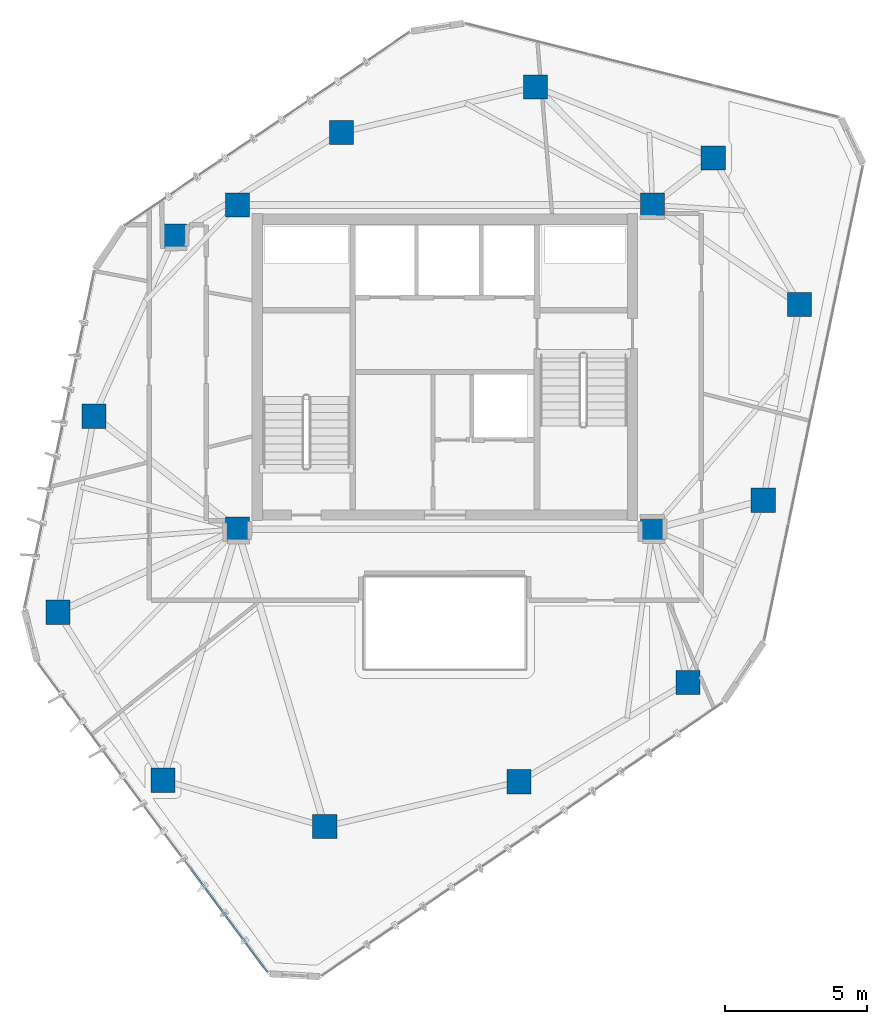
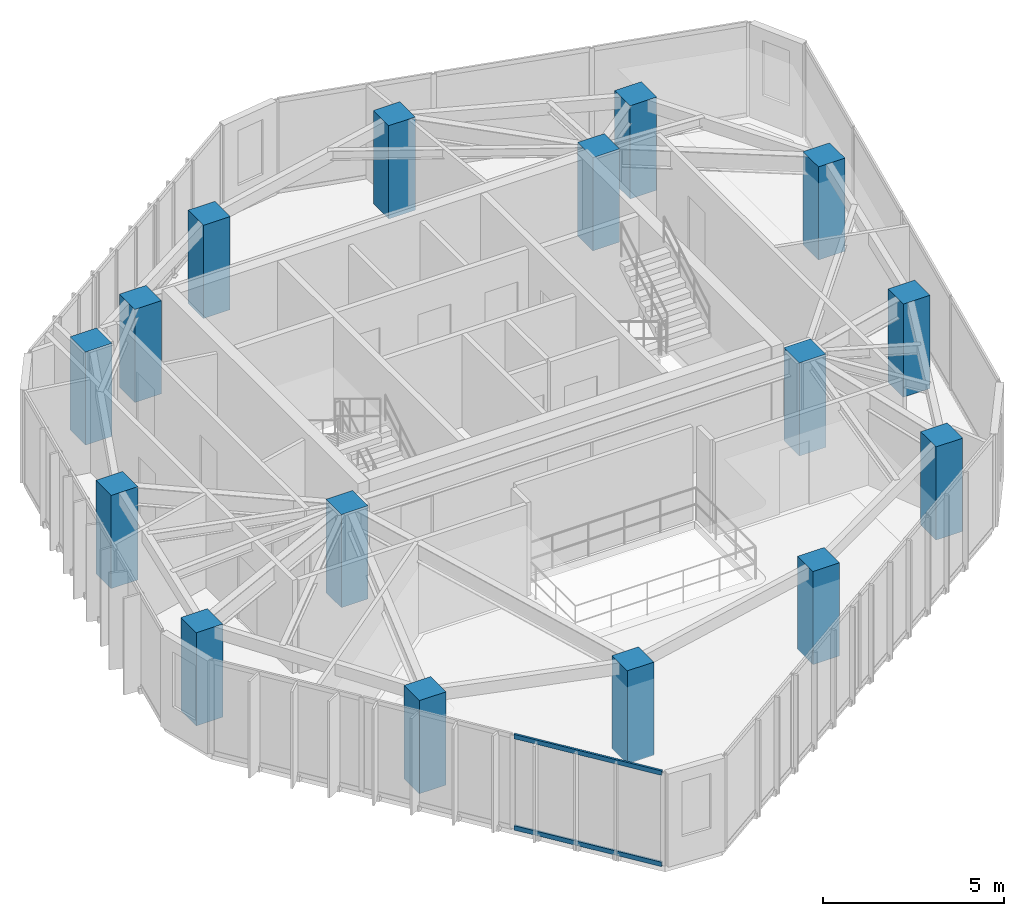
# One storey, part 1 of 20: 16 columns, 2 members, 1 element without a shape of its own.
"""IFC4 building model written with IfcOpenShell, lengths in metres."""

from ifc_helpers import new_model, si_unit, direction, frame, origin, origin_2d, place, context, subcontext, project, spatial, rectangle, hollow_rectangle, extrude, source, transform, mapped, material, layer, layer_set, material_profile, profile_set, type_object, type_shapes, element, aggregate, save


model = new_model("IFC4")

# Units and contexts
model_context = context("Model", 3, precision=1e-05, world=origin(), true_north=direction((0.0, 1.0)))
body_context = subcontext(model_context, "Body", "Model", "MODEL_VIEW")
ifc_project = project(units=[si_unit("LENGTHUNIT", "METRE"), si_unit("AREAUNIT", "SQUARE_METRE"), si_unit("VOLUMEUNIT", "CUBIC_METRE"), si_unit("PLANEANGLEUNIT", "RADIAN"), si_unit("MASSUNIT", "GRAM", prefix="KILO")], contexts=[model_context])

# Site, building, storey
site_placement = place(None, origin())
site = spatial("IfcSite", under=ifc_project, at=site_placement, CompositionType="ELEMENT")
building_placement = place(site_placement, origin())
building = spatial("IfcBuilding", under=site, at=building_placement, Name="Talar Marvaseh", CompositionType="ELEMENT")
storey_placement = place(building_placement, frame((0.0, 0.0, 244.199951171875)))
storey = spatial("IfcBuildingStorey", under=building, at=storey_placement, Name="L64", CompositionType="ELEMENT", Elevation=244.199951171875)

# Columns
ifc_material_1 = material(Name="Concrete C50/60", Category="concrete")
ifc_material_profile_1 = material_profile(ifc_material_1, rectangle(XDim=0.85009765625, YDim=0.85009765625, at=origin_2d()), Name="RC850x850")
ifc_profile_set_1 = profile_set([ifc_material_profile_1], Name="Concrete C50/60")
column_type = type_object("IfcColumnType", Name="Zone 4 Tube Column RC850x850", PredefinedType="COLUMN", material=ifc_profile_set_1)
for number, where, z_axis, x_axis, name in (
    (1, (12.388916015625, 22.576904296875, 0.0), (0.0, 0.0, 1.0), (1.0, 0.0, 0.0), "L64 Zone 4 Tube Column RC850x850"),
    (2, (13.657958984375, 29.469970703125, 0.0), (0.0, 0.0, 1.0), (1.0, 0.0, 0.0), "L64 Zone 4 Tube Column RC850x850"),
    (3, (16.493896484375, 35.806884765625, 0.0), (0.0, 0.0, 1.0), (1.0, 0.0, 0.0), "L64 Zone 4 Tube Column RC850x850"),
    (4, (22.364990234375, 39.4541015625, 0.0), (0.0, 0.0, 1.0), (1.0, 0.0, 0.0), "L64 Zone 4 Tube Column RC850x850"),
    (5, (29.18798828125, 41.052001953125, 0.0), (0.0, 0.0, 1.0), (1.0, 0.0, 0.0), "L64 Zone 4 Tube Column RC850x850"),
    (6, (35.43798828125, 38.551025390625, 0.0), (0.0, 0.0, 1.0), (1.0, 0.0, 0.0), "L64 Zone 4 Tube Column RC850x850"),
    (7, (38.470947265625, 33.406005859375, 0.0), (0.0, 0.0, 1.0), (1.0, 0.0, 0.0), "L64 Zone 4 Tube Column RC850x850"),
    (8, (37.197021484375, 26.513916015625, 0.0), (0.0, 0.0, 1.0), (1.0, 0.0, 0.0), "L64 Zone 4 Tube Column RC850x850"),
    (9, (34.5439453125, 20.111083984375, 0.0), (0.0, 0.0, 1.0), (1.0, 0.0, 0.0), "L64 Zone 4 Tube Column RC850x850"),
    (10, (28.60498046875, 16.616943359375, 0.0), (0.0, 0.0, 1.0), (1.0, 0.0, 0.0), "L64 Zone 4 Tube Column RC850x850"),
    (11, (21.77587890625, 15.0400390625, 0.0), (0.0, 0.0, 1.0), (1.0, 0.0, 0.0), "L64 Zone 4 Tube Column RC850x850"),
    (12, (16.0869140625, 16.66796875, 0.0), (0.0, 0.0, 1.0), (1.0, 0.0, 0.0), "L64 Zone 4 Tube Column RC850x850"),
    (13, (18.699951171875, 25.5, 0.0), (0.0, 0.0, 1.0), (1.0, 0.0, 0.0), "L64 Zone 4 Tube Column RC850x850"),
    (14, (33.300048828125, 25.5, 0.0), (0.0, 0.0, 1.0), (1.0, 0.0, 0.0), "L64 Zone 4 Tube Column RC850x850"),
    (15, (33.300048828125, 36.89990234375, 0.0), (0.0, 0.0, 1.0), (1.0, 0.0, 0.0), "L64 Zone 4 Tube Column RC850x850"),
    (16, (18.699951171875, 36.89990234375, 0.0), (0.0, 0.0, 1.0), (1.0, 0.0, 0.0), "L64 Zone 4 Tube Column RC850x850"),
):
    element("IfcColumn", number, at=place(storey_placement, frame(where, z_axis=z_axis, x_axis=x_axis)), inside=storey, type_object=column_type, Name=name, PredefinedType="COLUMN", context=body_context, shape_type="SweptSolid", body=[
        extrude(rectangle(XDim=0.85009765625, YDim=0.85009765625, at=origin_2d()), origin(), (0.0, 0.0, 1.0), 3.14013671875),
    ])

# Curtain wall, members
ifc_material_2 = material(Name="Architectural Aluminium", Category="aluminium")
ifc_layer = layer(ifc_material_2, 0.179931640625)
ifc_layer_set = layer_set([ifc_layer], Name="Architectural Aluminium")
curtain_wall_type = type_object("IfcCurtainWallType", Name="Unitised High-Wind Sky Curtain Wall Z4", PredefinedType="NOTDEFINED", material=ifc_layer_set)
curtain_wall_placement = place(storey_placement, origin())
curtain_wall = element("IfcCurtainWall", 17, at=curtain_wall_placement, inside=storey, type_object=curtain_wall_type, Name="L64 Unitised High-Wind Sky Curtain Wall Z4", PredefinedType="NOTDEFINED")
ifc_material_profile_2 = material_profile(ifc_material_2, hollow_rectangle(XDim=0.06494140625, YDim=0.14990234375, WallThickness=0.00390625, at=origin_2d()), Name="RHS150x65x4")
ifc_profile_set_2 = profile_set([ifc_material_profile_2], Name="Architectural Aluminium")
member_type = type_object("IfcMemberType", Name="Unitised Curtain Wall Slim Transom RHS150x65x4", PredefinedType="USERDEFINED", material=ifc_profile_set_2)
shared_shape = source(origin(), body_context, "Body", "SweptSolid", [
    extrude(hollow_rectangle(XDim=0.06494140625, YDim=0.14990234375, WallThickness=0.00390625, at=origin_2d()), origin(), (0.0, 0.0, 1.0), 4.447509765625),
])
type_shapes(member_type, [shared_shape])
member_1_placement = place(storey_placement, frame((19.75830078125, 9.93359375, 0.032470703125), z_axis=(-0.596207766868, 0.802830180503, 0.0), x_axis=(-0.802830180503, -0.596207766868, 0.0)))
member_1 = element("IfcMember", 18, at=member_1_placement, type_object=member_type, Name="CW-Z4 transom 1.1", ObjectType="TRANSOM", PredefinedType="USERDEFINED", context=body_context, shape_type="MappedRepresentation", body=[
    mapped(shared_shape, transform((0.0, 0.0, 0.0), x_axis=(1.0, 0.0, 0.0), y_axis=(0.0, 1.0, 0.0), z_axis=(0.0, 0.0, 1.0), scale=1.0)),
])
member_2_placement = place(storey_placement, frame((19.75830078125, 9.93359375, 3.107666015625), z_axis=(-0.596207766868, 0.802830180503, 0.0), x_axis=(-0.802830180503, -0.596207766868, 0.0)))
member_2 = element("IfcMember", 19, at=member_2_placement, type_object=member_type, Name="CW-Z4 transom 1.2", ObjectType="TRANSOM", PredefinedType="USERDEFINED", context=body_context, shape_type="MappedRepresentation", body=[
    mapped(shared_shape, transform((0.0, 0.0, 0.0), x_axis=(1.0, 0.0, 0.0), y_axis=(0.0, 1.0, 0.0), z_axis=(0.0, 0.0, 1.0), scale=1.0)),
])
aggregate(curtain_wall, [member_1, member_2])

save(model, "model.ifc")
